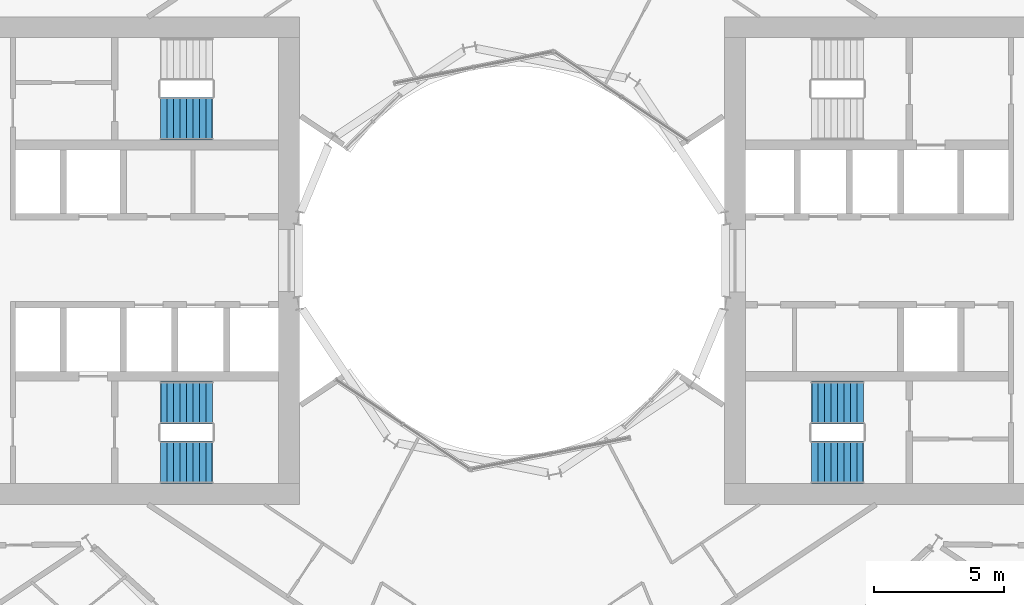
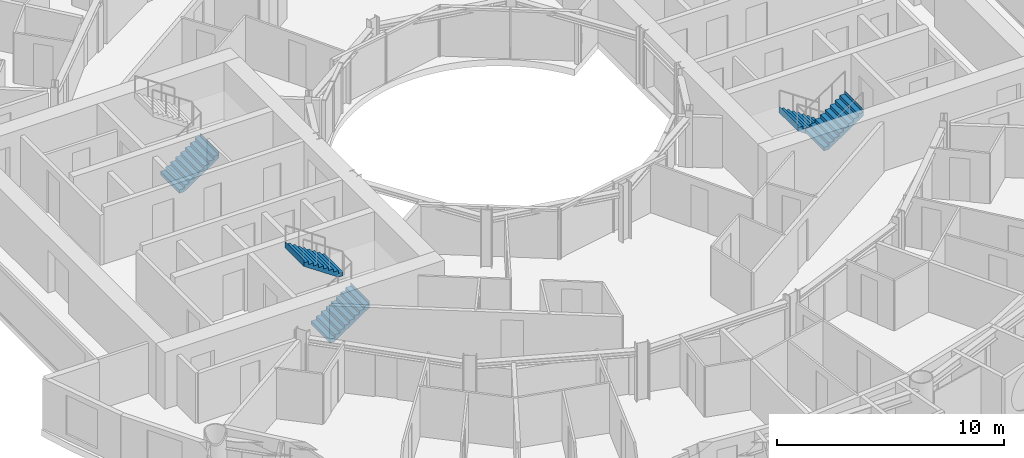
# One storey, part 23 of 26: 5 stair flights, 3 elements without a shape of their own.
"""IFC4 building model written with IfcOpenShell, lengths in metres."""

from ifc_helpers import new_model, si_unit, direction, frame, origin, place, context, subcontext, project, spatial, triangles, material, type_object, element, aggregate, save


model = new_model("IFC4")

# Units and contexts
model_context = context("Model", 3, precision=1e-05, world=origin(), true_north=direction((0.0, 1.0)))
body_context = subcontext(model_context, "Body", "Model", "MODEL_VIEW")
ifc_project = project(units=[si_unit("LENGTHUNIT", "METRE"), si_unit("AREAUNIT", "SQUARE_METRE"), si_unit("VOLUMEUNIT", "CUBIC_METRE"), si_unit("PLANEANGLEUNIT", "RADIAN"), si_unit("MASSUNIT", "GRAM", prefix="KILO")], contexts=[model_context])

# Site, building, storey
site_placement = place(None, origin())
site = spatial("IfcSite", under=ifc_project, at=site_placement, CompositionType="ELEMENT")
building_placement = place(site_placement, origin())
building = spatial("IfcBuilding", under=site, at=building_placement, Name="Maasbend Ring Residences", CompositionType="ELEMENT")
storey_placement = place(building_placement, frame((0.0, 0.0, 31.949951171875)))
storey = spatial("IfcBuildingStorey", under=building, at=storey_placement, Name="L08", CompositionType="ELEMENT", Elevation=31.949951171875)

# Stair, stair flights
ifc_material_1 = material(Name="Concrete C40/50", Category="concrete")
stair_type = type_object("IfcStairType", Name="CORE STAIR 18 RISERS", PredefinedType="HALF_TURN_STAIR", material=ifc_material_1)
stair_1_placement = place(storey_placement, origin())
stair_1 = element("IfcStair", 1, at=stair_1_placement, inside=storey, type_object=stair_type, Name="L08 Exit stair ST-E2", PredefinedType="HALF_TURN_STAIR")
ifc_material_2 = material(Name="Concrete C40/50", Category="concrete")
stair_flight_type = type_object("IfcStairFlightType", Name="CORE STAIR FLIGHT 1650", PredefinedType="STRAIGHT", material=ifc_material_2)
stair_flight_1_placement = place(storey_placement, frame((13.550048828125, -5.47509765625, 0.0), z_axis=(0.0, 0.0, 1.0), x_axis=(-1.0, 0.0, 0.0)))
stair_flight_1 = element("IfcStairFlight", 2, at=stair_flight_1_placement, type_object=stair_flight_type, Name="ST-E2 flight 1", NumberOfRisers=9, NumberOfTreads=8, PredefinedType="STRAIGHT", RiserHeight=0.169444444, TreadLength=0.25, context=body_context, shape_type="Tessellation", body=[
    triangles([(0.24072265625, 0.824951171875, -0.02001953125), (2.0029296875, 0.824951171875, 1.174560546875), (2.0029296875, 0.824951171875, 1.52490234375), (1.989990234375, 0.824951171875, 1.35546875), (1.75, 0.824951171875, 1.35546875), (1.75, 0.824951171875, 1.18603515625), (1.5, 0.824951171875, 1.18603515625), (1.5, 0.824951171875, 1.0166015625), (1.25, 0.824951171875, 1.0166015625), (1.25, 0.824951171875, 0.84716796875), (1.0, 0.824951171875, 0.84716796875), (1.0, 0.824951171875, 0.677734375), (0.75, 0.824951171875, 0.677734375), (0.75, 0.824951171875, 0.50830078125), (0.5, 0.824951171875, 0.50830078125), (0.5, 0.824951171875, 0.3388671875), (0.25, 0.824951171875, 0.3388671875), (0.25, 0.824951171875, 0.16943359375), (0.0, 0.824951171875, 0.16943359375), (0.0, 0.824951171875, 0.0), (-0.0029296875, 0.824951171875, 0.0), (-0.0029296875, 0.824951171875, -0.02001953125), (0.24072265625, 0.27490234375, -0.02001953125), (2.0029296875, 0.27490234375, 1.174560546875), (2.0029296875, 0.27490234375, 1.52490234375), (1.989990234375, 0.27490234375, 1.35546875), (1.75, 0.27490234375, 1.35546875), (1.75, 0.27490234375, 1.18603515625), (1.5, 0.27490234375, 1.18603515625), (1.5, 0.27490234375, 1.0166015625), (1.25, 0.27490234375, 1.0166015625), (1.25, 0.27490234375, 0.84716796875), (1.0, 0.27490234375, 0.84716796875), (1.0, 0.27490234375, 0.677734375), (0.75, 0.27490234375, 0.677734375), (0.75, 0.27490234375, 0.50830078125), (0.5, 0.27490234375, 0.50830078125), (0.5, 0.27490234375, 0.3388671875), (0.25, 0.27490234375, 0.3388671875), (0.25, 0.27490234375, 0.16943359375), (0.0, 0.27490234375, 0.16943359375), (0.0, 0.27490234375, 0.0), (-0.0029296875, 0.27490234375, 0.0), (-0.0029296875, 0.27490234375, -0.02001953125), (0.24072265625, -0.27490234375, -0.02001953125), (2.0029296875, -0.27490234375, 1.174560546875), (2.0029296875, -0.27490234375, 1.52490234375), (1.989990234375, -0.27490234375, 1.35546875), (1.75, -0.27490234375, 1.35546875), (1.75, -0.27490234375, 1.18603515625), (1.5, -0.27490234375, 1.18603515625), (1.5, -0.27490234375, 1.0166015625), (1.25, -0.27490234375, 1.0166015625), (1.25, -0.27490234375, 0.84716796875), (1.0, -0.27490234375, 0.84716796875), (1.0, -0.27490234375, 0.677734375), (0.75, -0.27490234375, 0.677734375), (0.75, -0.27490234375, 0.50830078125), (0.5, -0.27490234375, 0.50830078125), (0.5, -0.27490234375, 0.3388671875), (0.25, -0.27490234375, 0.3388671875), (0.25, -0.27490234375, 0.16943359375), (0.0, -0.27490234375, 0.16943359375), (0.0, -0.27490234375, 0.0), (-0.0029296875, -0.27490234375, 0.0), (-0.0029296875, -0.27490234375, -0.02001953125), (0.24072265625, -0.824951171875, -0.02001953125), (2.0029296875, -0.824951171875, 1.174560546875), (2.0029296875, -0.824951171875, 1.52490234375), (1.989990234375, -0.824951171875, 1.35546875), (1.75, -0.824951171875, 1.35546875), (1.75, -0.824951171875, 1.18603515625), (1.5, -0.824951171875, 1.18603515625), (1.5, -0.824951171875, 1.0166015625), (1.25, -0.824951171875, 1.0166015625), (1.25, -0.824951171875, 0.84716796875), (1.0, -0.824951171875, 0.84716796875), (1.0, -0.824951171875, 0.677734375), (0.75, -0.824951171875, 0.677734375), (0.75, -0.824951171875, 0.50830078125), (0.5, -0.824951171875, 0.50830078125), (0.5, -0.824951171875, 0.3388671875), (0.25, -0.824951171875, 0.3388671875), (0.25, -0.824951171875, 0.16943359375), (0.0, -0.824951171875, 0.16943359375), (0.0, -0.824951171875, 0.0), (-0.0029296875, -0.824951171875, 0.0), (-0.0029296875, -0.824951171875, -0.02001953125)], [[1, 2, 24], [1, 24, 23], [23, 24, 46], [23, 46, 45], [45, 46, 68], [45, 68, 67], [2, 3, 25], [2, 25, 24], [24, 25, 47], [24, 47, 46], [46, 47, 69], [46, 69, 68], [3, 4, 26], [3, 26, 25], [25, 26, 48], [25, 48, 47], [47, 48, 70], [47, 70, 69], [4, 5, 27], [4, 27, 26], [26, 27, 49], [26, 49, 48], [48, 49, 71], [48, 71, 70], [5, 6, 28], [5, 28, 27], [27, 28, 50], [27, 50, 49], [49, 50, 72], [49, 72, 71], [6, 7, 29], [6, 29, 28], [28, 29, 51], [28, 51, 50], [50, 51, 73], [50, 73, 72], [7, 8, 30], [7, 30, 29], [29, 30, 52], [29, 52, 51], [51, 52, 74], [51, 74, 73], [8, 9, 31], [8, 31, 30], [30, 31, 53], [30, 53, 52], [52, 53, 75], [52, 75, 74], [9, 10, 32], [9, 32, 31], [31, 32, 54], [31, 54, 53], [53, 54, 76], [53, 76, 75], [10, 11, 33], [10, 33, 32], [32, 33, 55], [32, 55, 54], [54, 55, 77], [54, 77, 76], [11, 12, 34], [11, 34, 33], [33, 34, 56], [33, 56, 55], [55, 56, 78], [55, 78, 77], [12, 13, 35], [12, 35, 34], [34, 35, 57], [34, 57, 56], [56, 57, 79], [56, 79, 78], [13, 14, 36], [13, 36, 35], [35, 36, 58], [35, 58, 57], [57, 58, 80], [57, 80, 79], [14, 15, 37], [14, 37, 36], [36, 37, 59], [36, 59, 58], [58, 59, 81], [58, 81, 80], [15, 16, 38], [15, 38, 37], [37, 38, 60], [37, 60, 59], [59, 60, 82], [59, 82, 81], [16, 17, 39], [16, 39, 38], [38, 39, 61], [38, 61, 60], [60, 61, 83], [60, 83, 82], [17, 18, 40], [17, 40, 39], [39, 40, 62], [39, 62, 61], [61, 62, 84], [61, 84, 83], [18, 19, 41], [18, 41, 40], [40, 41, 63], [40, 63, 62], [62, 63, 85], [62, 85, 84], [19, 20, 42], [19, 42, 41], [41, 42, 64], [41, 64, 63], [63, 64, 86], [63, 86, 85], [20, 21, 43], [20, 43, 42], [42, 43, 65], [42, 65, 64], [64, 65, 87], [64, 87, 86], [21, 22, 44], [21, 44, 43], [43, 44, 66], [43, 66, 65], [65, 66, 88], [65, 88, 87], [22, 1, 23], [22, 23, 44], [44, 23, 45], [44, 45, 66], [66, 45, 67], [66, 67, 88], [22, 2, 1], [2, 4, 3], [2, 5, 4], [2, 6, 5], [22, 6, 2], [6, 8, 7], [22, 8, 6], [8, 10, 9], [22, 10, 8], [10, 12, 11], [22, 12, 10], [12, 14, 13], [22, 14, 12], [14, 16, 15], [22, 16, 14], [16, 18, 17], [22, 18, 16], [18, 20, 19], [22, 20, 18], [20, 22, 21], [88, 67, 68], [68, 69, 70], [68, 70, 71], [68, 71, 72], [88, 68, 72], [72, 73, 74], [88, 72, 74], [74, 75, 76], [88, 74, 76], [76, 77, 78], [88, 76, 78], [78, 79, 80], [88, 78, 80], [80, 81, 82], [88, 80, 82], [82, 83, 84], [88, 82, 84], [84, 85, 86], [88, 84, 86], [86, 87, 88]], closed=True),
])
stair_flight_2_placement = place(storey_placement, frame((11.550048828125, -7.77490234375, 1.525146484375), z_axis=(0.0, 0.0, 1.0), x_axis=(1.0, 0.0, 0.0)))
stair_flight_2 = element("IfcStairFlight", 3, at=stair_flight_2_placement, type_object=stair_flight_type, Name="ST-E2 flight 2", NumberOfRisers=9, NumberOfTreads=8, PredefinedType="STRAIGHT", RiserHeight=0.169444444, TreadLength=0.25, context=body_context, shape_type="Tessellation", body=[
    triangles([(0.24072265625, 0.824951171875, -0.02001953125), (2.0029296875, 0.824951171875, 1.174560546875), (2.0029296875, 0.824951171875, 1.52490234375), (1.989990234375, 0.824951171875, 1.35546875), (1.75, 0.824951171875, 1.35546875), (1.75, 0.824951171875, 1.18603515625), (1.5, 0.824951171875, 1.18603515625), (1.5, 0.824951171875, 1.0166015625), (1.25, 0.824951171875, 1.0166015625), (1.25, 0.824951171875, 0.84716796875), (1.0, 0.824951171875, 0.84716796875), (1.0, 0.824951171875, 0.677734375), (0.75, 0.824951171875, 0.677734375), (0.75, 0.824951171875, 0.50830078125), (0.5, 0.824951171875, 0.50830078125), (0.5, 0.824951171875, 0.3388671875), (0.25, 0.824951171875, 0.3388671875), (0.25, 0.824951171875, 0.16943359375), (0.0, 0.824951171875, 0.16943359375), (0.0, 0.824951171875, 0.0), (-0.0029296875, 0.824951171875, 0.0), (-0.0029296875, 0.824951171875, -0.02001953125), (0.24072265625, 0.27490234375, -0.02001953125), (2.0029296875, 0.27490234375, 1.174560546875), (2.0029296875, 0.27490234375, 1.52490234375), (1.989990234375, 0.27490234375, 1.35546875), (1.75, 0.27490234375, 1.35546875), (1.75, 0.27490234375, 1.18603515625), (1.5, 0.27490234375, 1.18603515625), (1.5, 0.27490234375, 1.0166015625), (1.25, 0.27490234375, 1.0166015625), (1.25, 0.27490234375, 0.84716796875), (1.0, 0.27490234375, 0.84716796875), (1.0, 0.27490234375, 0.677734375), (0.75, 0.27490234375, 0.677734375), (0.75, 0.27490234375, 0.50830078125), (0.5, 0.27490234375, 0.50830078125), (0.5, 0.27490234375, 0.3388671875), (0.25, 0.27490234375, 0.3388671875), (0.25, 0.27490234375, 0.16943359375), (0.0, 0.27490234375, 0.16943359375), (0.0, 0.27490234375, 0.0), (-0.0029296875, 0.27490234375, 0.0), (-0.0029296875, 0.27490234375, -0.02001953125), (0.24072265625, -0.27490234375, -0.02001953125), (2.0029296875, -0.27490234375, 1.174560546875), (2.0029296875, -0.27490234375, 1.52490234375), (1.989990234375, -0.27490234375, 1.35546875), (1.75, -0.27490234375, 1.35546875), (1.75, -0.27490234375, 1.18603515625), (1.5, -0.27490234375, 1.18603515625), (1.5, -0.27490234375, 1.0166015625), (1.25, -0.27490234375, 1.0166015625), (1.25, -0.27490234375, 0.84716796875), (1.0, -0.27490234375, 0.84716796875), (1.0, -0.27490234375, 0.677734375), (0.75, -0.27490234375, 0.677734375), (0.75, -0.27490234375, 0.50830078125), (0.5, -0.27490234375, 0.50830078125), (0.5, -0.27490234375, 0.3388671875), (0.25, -0.27490234375, 0.3388671875), (0.25, -0.27490234375, 0.16943359375), (0.0, -0.27490234375, 0.16943359375), (0.0, -0.27490234375, 0.0), (-0.0029296875, -0.27490234375, 0.0), (-0.0029296875, -0.27490234375, -0.02001953125), (0.24072265625, -0.824951171875, -0.02001953125), (2.0029296875, -0.824951171875, 1.174560546875), (2.0029296875, -0.824951171875, 1.52490234375), (1.989990234375, -0.824951171875, 1.35546875), (1.75, -0.824951171875, 1.35546875), (1.75, -0.824951171875, 1.18603515625), (1.5, -0.824951171875, 1.18603515625), (1.5, -0.824951171875, 1.0166015625), (1.25, -0.824951171875, 1.0166015625), (1.25, -0.824951171875, 0.84716796875), (1.0, -0.824951171875, 0.84716796875), (1.0, -0.824951171875, 0.677734375), (0.75, -0.824951171875, 0.677734375), (0.75, -0.824951171875, 0.50830078125), (0.5, -0.824951171875, 0.50830078125), (0.5, -0.824951171875, 0.3388671875), (0.25, -0.824951171875, 0.3388671875), (0.25, -0.824951171875, 0.16943359375), (0.0, -0.824951171875, 0.16943359375), (0.0, -0.824951171875, 0.0), (-0.0029296875, -0.824951171875, 0.0), (-0.0029296875, -0.824951171875, -0.02001953125)], [[1, 2, 24], [1, 24, 23], [23, 24, 46], [23, 46, 45], [45, 46, 68], [45, 68, 67], [2, 3, 25], [2, 25, 24], [24, 25, 47], [24, 47, 46], [46, 47, 69], [46, 69, 68], [3, 4, 26], [3, 26, 25], [25, 26, 48], [25, 48, 47], [47, 48, 70], [47, 70, 69], [4, 5, 27], [4, 27, 26], [26, 27, 49], [26, 49, 48], [48, 49, 71], [48, 71, 70], [5, 6, 28], [5, 28, 27], [27, 28, 50], [27, 50, 49], [49, 50, 72], [49, 72, 71], [6, 7, 29], [6, 29, 28], [28, 29, 51], [28, 51, 50], [50, 51, 73], [50, 73, 72], [7, 8, 30], [7, 30, 29], [29, 30, 52], [29, 52, 51], [51, 52, 74], [51, 74, 73], [8, 9, 31], [8, 31, 30], [30, 31, 53], [30, 53, 52], [52, 53, 75], [52, 75, 74], [9, 10, 32], [9, 32, 31], [31, 32, 54], [31, 54, 53], [53, 54, 76], [53, 76, 75], [10, 11, 33], [10, 33, 32], [32, 33, 55], [32, 55, 54], [54, 55, 77], [54, 77, 76], [11, 12, 34], [11, 34, 33], [33, 34, 56], [33, 56, 55], [55, 56, 78], [55, 78, 77], [12, 13, 35], [12, 35, 34], [34, 35, 57], [34, 57, 56], [56, 57, 79], [56, 79, 78], [13, 14, 36], [13, 36, 35], [35, 36, 58], [35, 58, 57], [57, 58, 80], [57, 80, 79], [14, 15, 37], [14, 37, 36], [36, 37, 59], [36, 59, 58], [58, 59, 81], [58, 81, 80], [15, 16, 38], [15, 38, 37], [37, 38, 60], [37, 60, 59], [59, 60, 82], [59, 82, 81], [16, 17, 39], [16, 39, 38], [38, 39, 61], [38, 61, 60], [60, 61, 83], [60, 83, 82], [17, 18, 40], [17, 40, 39], [39, 40, 62], [39, 62, 61], [61, 62, 84], [61, 84, 83], [18, 19, 41], [18, 41, 40], [40, 41, 63], [40, 63, 62], [62, 63, 85], [62, 85, 84], [19, 20, 42], [19, 42, 41], [41, 42, 64], [41, 64, 63], [63, 64, 86], [63, 86, 85], [20, 21, 43], [20, 43, 42], [42, 43, 65], [42, 65, 64], [64, 65, 87], [64, 87, 86], [21, 22, 44], [21, 44, 43], [43, 44, 66], [43, 66, 65], [65, 66, 88], [65, 88, 87], [22, 1, 23], [22, 23, 44], [44, 23, 45], [44, 45, 66], [66, 45, 67], [66, 67, 88], [22, 2, 1], [2, 4, 3], [2, 5, 4], [2, 6, 5], [22, 6, 2], [6, 8, 7], [22, 8, 6], [8, 10, 9], [22, 10, 8], [10, 12, 11], [22, 12, 10], [12, 14, 13], [22, 14, 12], [14, 16, 15], [22, 16, 14], [16, 18, 17], [22, 18, 16], [18, 20, 19], [22, 20, 18], [20, 22, 21], [88, 67, 68], [68, 69, 70], [68, 70, 71], [68, 71, 72], [88, 68, 72], [72, 73, 74], [88, 72, 74], [74, 75, 76], [88, 74, 76], [76, 77, 78], [88, 76, 78], [78, 79, 80], [88, 78, 80], [80, 81, 82], [88, 80, 82], [82, 83, 84], [88, 82, 84], [84, 85, 86], [88, 84, 86], [86, 87, 88]], closed=True),
])
aggregate(stair_1, [stair_flight_1, stair_flight_2])

stair_2_placement = place(storey_placement, origin())
stair_2 = element("IfcStair", 4, at=stair_2_placement, inside=storey, type_object=stair_type, Name="L08 Exit stair ST-W1", PredefinedType="HALF_TURN_STAIR")
stair_flight_3_placement = place(storey_placement, frame((-13.550048828125, -7.77490234375, 0.0), z_axis=(0.0, 0.0, 1.0), x_axis=(1.0, 0.0, 0.0)))
stair_flight_3 = element("IfcStairFlight", 5, at=stair_flight_3_placement, type_object=stair_flight_type, Name="ST-W1 flight 1", NumberOfRisers=9, NumberOfTreads=8, PredefinedType="STRAIGHT", RiserHeight=0.169444444, TreadLength=0.25, context=body_context, shape_type="Tessellation", body=[
    triangles([(0.24072265625, 0.824951171875, -0.02001953125), (2.0029296875, 0.824951171875, 1.174560546875), (2.0029296875, 0.824951171875, 1.52490234375), (1.989990234375, 0.824951171875, 1.35546875), (1.75, 0.824951171875, 1.35546875), (1.75, 0.824951171875, 1.18603515625), (1.5, 0.824951171875, 1.18603515625), (1.5, 0.824951171875, 1.0166015625), (1.25, 0.824951171875, 1.0166015625), (1.25, 0.824951171875, 0.84716796875), (1.0, 0.824951171875, 0.84716796875), (1.0, 0.824951171875, 0.677734375), (0.75, 0.824951171875, 0.677734375), (0.75, 0.824951171875, 0.50830078125), (0.5, 0.824951171875, 0.50830078125), (0.5, 0.824951171875, 0.3388671875), (0.25, 0.824951171875, 0.3388671875), (0.25, 0.824951171875, 0.16943359375), (0.0, 0.824951171875, 0.16943359375), (0.0, 0.824951171875, 0.0), (-0.0029296875, 0.824951171875, 0.0), (-0.0029296875, 0.824951171875, -0.02001953125), (0.24072265625, 0.27490234375, -0.02001953125), (2.0029296875, 0.27490234375, 1.174560546875), (2.0029296875, 0.27490234375, 1.52490234375), (1.989990234375, 0.27490234375, 1.35546875), (1.75, 0.27490234375, 1.35546875), (1.75, 0.27490234375, 1.18603515625), (1.5, 0.27490234375, 1.18603515625), (1.5, 0.27490234375, 1.0166015625), (1.25, 0.27490234375, 1.0166015625), (1.25, 0.27490234375, 0.84716796875), (1.0, 0.27490234375, 0.84716796875), (1.0, 0.27490234375, 0.677734375), (0.75, 0.27490234375, 0.677734375), (0.75, 0.27490234375, 0.50830078125), (0.5, 0.27490234375, 0.50830078125), (0.5, 0.27490234375, 0.3388671875), (0.25, 0.27490234375, 0.3388671875), (0.25, 0.27490234375, 0.16943359375), (0.0, 0.27490234375, 0.16943359375), (0.0, 0.27490234375, 0.0), (-0.0029296875, 0.27490234375, 0.0), (-0.0029296875, 0.27490234375, -0.02001953125), (0.24072265625, -0.27490234375, -0.02001953125), (2.0029296875, -0.27490234375, 1.174560546875), (2.0029296875, -0.27490234375, 1.52490234375), (1.989990234375, -0.27490234375, 1.35546875), (1.75, -0.27490234375, 1.35546875), (1.75, -0.27490234375, 1.18603515625), (1.5, -0.27490234375, 1.18603515625), (1.5, -0.27490234375, 1.0166015625), (1.25, -0.27490234375, 1.0166015625), (1.25, -0.27490234375, 0.84716796875), (1.0, -0.27490234375, 0.84716796875), (1.0, -0.27490234375, 0.677734375), (0.75, -0.27490234375, 0.677734375), (0.75, -0.27490234375, 0.50830078125), (0.5, -0.27490234375, 0.50830078125), (0.5, -0.27490234375, 0.3388671875), (0.25, -0.27490234375, 0.3388671875), (0.25, -0.27490234375, 0.16943359375), (0.0, -0.27490234375, 0.16943359375), (0.0, -0.27490234375, 0.0), (-0.0029296875, -0.27490234375, 0.0), (-0.0029296875, -0.27490234375, -0.02001953125), (0.24072265625, -0.824951171875, -0.02001953125), (2.0029296875, -0.824951171875, 1.174560546875), (2.0029296875, -0.824951171875, 1.52490234375), (1.989990234375, -0.824951171875, 1.35546875), (1.75, -0.824951171875, 1.35546875), (1.75, -0.824951171875, 1.18603515625), (1.5, -0.824951171875, 1.18603515625), (1.5, -0.824951171875, 1.0166015625), (1.25, -0.824951171875, 1.0166015625), (1.25, -0.824951171875, 0.84716796875), (1.0, -0.824951171875, 0.84716796875), (1.0, -0.824951171875, 0.677734375), (0.75, -0.824951171875, 0.677734375), (0.75, -0.824951171875, 0.50830078125), (0.5, -0.824951171875, 0.50830078125), (0.5, -0.824951171875, 0.3388671875), (0.25, -0.824951171875, 0.3388671875), (0.25, -0.824951171875, 0.16943359375), (0.0, -0.824951171875, 0.16943359375), (0.0, -0.824951171875, 0.0), (-0.0029296875, -0.824951171875, 0.0), (-0.0029296875, -0.824951171875, -0.02001953125)], [[1, 2, 24], [1, 24, 23], [23, 24, 46], [23, 46, 45], [45, 46, 68], [45, 68, 67], [2, 3, 25], [2, 25, 24], [24, 25, 47], [24, 47, 46], [46, 47, 69], [46, 69, 68], [3, 4, 26], [3, 26, 25], [25, 26, 48], [25, 48, 47], [47, 48, 70], [47, 70, 69], [4, 5, 27], [4, 27, 26], [26, 27, 49], [26, 49, 48], [48, 49, 71], [48, 71, 70], [5, 6, 28], [5, 28, 27], [27, 28, 50], [27, 50, 49], [49, 50, 72], [49, 72, 71], [6, 7, 29], [6, 29, 28], [28, 29, 51], [28, 51, 50], [50, 51, 73], [50, 73, 72], [7, 8, 30], [7, 30, 29], [29, 30, 52], [29, 52, 51], [51, 52, 74], [51, 74, 73], [8, 9, 31], [8, 31, 30], [30, 31, 53], [30, 53, 52], [52, 53, 75], [52, 75, 74], [9, 10, 32], [9, 32, 31], [31, 32, 54], [31, 54, 53], [53, 54, 76], [53, 76, 75], [10, 11, 33], [10, 33, 32], [32, 33, 55], [32, 55, 54], [54, 55, 77], [54, 77, 76], [11, 12, 34], [11, 34, 33], [33, 34, 56], [33, 56, 55], [55, 56, 78], [55, 78, 77], [12, 13, 35], [12, 35, 34], [34, 35, 57], [34, 57, 56], [56, 57, 79], [56, 79, 78], [13, 14, 36], [13, 36, 35], [35, 36, 58], [35, 58, 57], [57, 58, 80], [57, 80, 79], [14, 15, 37], [14, 37, 36], [36, 37, 59], [36, 59, 58], [58, 59, 81], [58, 81, 80], [15, 16, 38], [15, 38, 37], [37, 38, 60], [37, 60, 59], [59, 60, 82], [59, 82, 81], [16, 17, 39], [16, 39, 38], [38, 39, 61], [38, 61, 60], [60, 61, 83], [60, 83, 82], [17, 18, 40], [17, 40, 39], [39, 40, 62], [39, 62, 61], [61, 62, 84], [61, 84, 83], [18, 19, 41], [18, 41, 40], [40, 41, 63], [40, 63, 62], [62, 63, 85], [62, 85, 84], [19, 20, 42], [19, 42, 41], [41, 42, 64], [41, 64, 63], [63, 64, 86], [63, 86, 85], [20, 21, 43], [20, 43, 42], [42, 43, 65], [42, 65, 64], [64, 65, 87], [64, 87, 86], [21, 22, 44], [21, 44, 43], [43, 44, 66], [43, 66, 65], [65, 66, 88], [65, 88, 87], [22, 1, 23], [22, 23, 44], [44, 23, 45], [44, 45, 66], [66, 45, 67], [66, 67, 88], [22, 2, 1], [2, 4, 3], [2, 5, 4], [2, 6, 5], [22, 6, 2], [6, 8, 7], [22, 8, 6], [8, 10, 9], [22, 10, 8], [10, 12, 11], [22, 12, 10], [12, 14, 13], [22, 14, 12], [14, 16, 15], [22, 16, 14], [16, 18, 17], [22, 18, 16], [18, 20, 19], [22, 20, 18], [20, 22, 21], [88, 67, 68], [68, 69, 70], [68, 70, 71], [68, 71, 72], [88, 68, 72], [72, 73, 74], [88, 72, 74], [74, 75, 76], [88, 74, 76], [76, 77, 78], [88, 76, 78], [78, 79, 80], [88, 78, 80], [80, 81, 82], [88, 80, 82], [82, 83, 84], [88, 82, 84], [84, 85, 86], [88, 84, 86], [86, 87, 88]], closed=True),
])
stair_flight_4_placement = place(storey_placement, frame((-11.550048828125, -5.47509765625, 1.525146484375), z_axis=(0.0, 0.0, 1.0), x_axis=(-1.0, 0.0, 0.0)))
stair_flight_4 = element("IfcStairFlight", 6, at=stair_flight_4_placement, type_object=stair_flight_type, Name="ST-W1 flight 2", NumberOfRisers=9, NumberOfTreads=8, PredefinedType="STRAIGHT", RiserHeight=0.169444444, TreadLength=0.25, context=body_context, shape_type="Tessellation", body=[
    triangles([(0.24072265625, 0.824951171875, -0.02001953125), (2.0029296875, 0.824951171875, 1.174560546875), (2.0029296875, 0.824951171875, 1.52490234375), (1.989990234375, 0.824951171875, 1.35546875), (1.75, 0.824951171875, 1.35546875), (1.75, 0.824951171875, 1.18603515625), (1.5, 0.824951171875, 1.18603515625), (1.5, 0.824951171875, 1.0166015625), (1.25, 0.824951171875, 1.0166015625), (1.25, 0.824951171875, 0.84716796875), (1.0, 0.824951171875, 0.84716796875), (1.0, 0.824951171875, 0.677734375), (0.75, 0.824951171875, 0.677734375), (0.75, 0.824951171875, 0.50830078125), (0.5, 0.824951171875, 0.50830078125), (0.5, 0.824951171875, 0.3388671875), (0.25, 0.824951171875, 0.3388671875), (0.25, 0.824951171875, 0.16943359375), (0.0, 0.824951171875, 0.16943359375), (0.0, 0.824951171875, 0.0), (-0.0029296875, 0.824951171875, 0.0), (-0.0029296875, 0.824951171875, -0.02001953125), (0.24072265625, 0.27490234375, -0.02001953125), (2.0029296875, 0.27490234375, 1.174560546875), (2.0029296875, 0.27490234375, 1.52490234375), (1.989990234375, 0.27490234375, 1.35546875), (1.75, 0.27490234375, 1.35546875), (1.75, 0.27490234375, 1.18603515625), (1.5, 0.27490234375, 1.18603515625), (1.5, 0.27490234375, 1.0166015625), (1.25, 0.27490234375, 1.0166015625), (1.25, 0.27490234375, 0.84716796875), (1.0, 0.27490234375, 0.84716796875), (1.0, 0.27490234375, 0.677734375), (0.75, 0.27490234375, 0.677734375), (0.75, 0.27490234375, 0.50830078125), (0.5, 0.27490234375, 0.50830078125), (0.5, 0.27490234375, 0.3388671875), (0.25, 0.27490234375, 0.3388671875), (0.25, 0.27490234375, 0.16943359375), (0.0, 0.27490234375, 0.16943359375), (0.0, 0.27490234375, 0.0), (-0.0029296875, 0.27490234375, 0.0), (-0.0029296875, 0.27490234375, -0.02001953125), (0.24072265625, -0.27490234375, -0.02001953125), (2.0029296875, -0.27490234375, 1.174560546875), (2.0029296875, -0.27490234375, 1.52490234375), (1.989990234375, -0.27490234375, 1.35546875), (1.75, -0.27490234375, 1.35546875), (1.75, -0.27490234375, 1.18603515625), (1.5, -0.27490234375, 1.18603515625), (1.5, -0.27490234375, 1.0166015625), (1.25, -0.27490234375, 1.0166015625), (1.25, -0.27490234375, 0.84716796875), (1.0, -0.27490234375, 0.84716796875), (1.0, -0.27490234375, 0.677734375), (0.75, -0.27490234375, 0.677734375), (0.75, -0.27490234375, 0.50830078125), (0.5, -0.27490234375, 0.50830078125), (0.5, -0.27490234375, 0.3388671875), (0.25, -0.27490234375, 0.3388671875), (0.25, -0.27490234375, 0.16943359375), (0.0, -0.27490234375, 0.16943359375), (0.0, -0.27490234375, 0.0), (-0.0029296875, -0.27490234375, 0.0), (-0.0029296875, -0.27490234375, -0.02001953125), (0.24072265625, -0.824951171875, -0.02001953125), (2.0029296875, -0.824951171875, 1.174560546875), (2.0029296875, -0.824951171875, 1.52490234375), (1.989990234375, -0.824951171875, 1.35546875), (1.75, -0.824951171875, 1.35546875), (1.75, -0.824951171875, 1.18603515625), (1.5, -0.824951171875, 1.18603515625), (1.5, -0.824951171875, 1.0166015625), (1.25, -0.824951171875, 1.0166015625), (1.25, -0.824951171875, 0.84716796875), (1.0, -0.824951171875, 0.84716796875), (1.0, -0.824951171875, 0.677734375), (0.75, -0.824951171875, 0.677734375), (0.75, -0.824951171875, 0.50830078125), (0.5, -0.824951171875, 0.50830078125), (0.5, -0.824951171875, 0.3388671875), (0.25, -0.824951171875, 0.3388671875), (0.25, -0.824951171875, 0.16943359375), (0.0, -0.824951171875, 0.16943359375), (0.0, -0.824951171875, 0.0), (-0.0029296875, -0.824951171875, 0.0), (-0.0029296875, -0.824951171875, -0.02001953125)], [[1, 2, 24], [1, 24, 23], [23, 24, 46], [23, 46, 45], [45, 46, 68], [45, 68, 67], [2, 3, 25], [2, 25, 24], [24, 25, 47], [24, 47, 46], [46, 47, 69], [46, 69, 68], [3, 4, 26], [3, 26, 25], [25, 26, 48], [25, 48, 47], [47, 48, 70], [47, 70, 69], [4, 5, 27], [4, 27, 26], [26, 27, 49], [26, 49, 48], [48, 49, 71], [48, 71, 70], [5, 6, 28], [5, 28, 27], [27, 28, 50], [27, 50, 49], [49, 50, 72], [49, 72, 71], [6, 7, 29], [6, 29, 28], [28, 29, 51], [28, 51, 50], [50, 51, 73], [50, 73, 72], [7, 8, 30], [7, 30, 29], [29, 30, 52], [29, 52, 51], [51, 52, 74], [51, 74, 73], [8, 9, 31], [8, 31, 30], [30, 31, 53], [30, 53, 52], [52, 53, 75], [52, 75, 74], [9, 10, 32], [9, 32, 31], [31, 32, 54], [31, 54, 53], [53, 54, 76], [53, 76, 75], [10, 11, 33], [10, 33, 32], [32, 33, 55], [32, 55, 54], [54, 55, 77], [54, 77, 76], [11, 12, 34], [11, 34, 33], [33, 34, 56], [33, 56, 55], [55, 56, 78], [55, 78, 77], [12, 13, 35], [12, 35, 34], [34, 35, 57], [34, 57, 56], [56, 57, 79], [56, 79, 78], [13, 14, 36], [13, 36, 35], [35, 36, 58], [35, 58, 57], [57, 58, 80], [57, 80, 79], [14, 15, 37], [14, 37, 36], [36, 37, 59], [36, 59, 58], [58, 59, 81], [58, 81, 80], [15, 16, 38], [15, 38, 37], [37, 38, 60], [37, 60, 59], [59, 60, 82], [59, 82, 81], [16, 17, 39], [16, 39, 38], [38, 39, 61], [38, 61, 60], [60, 61, 83], [60, 83, 82], [17, 18, 40], [17, 40, 39], [39, 40, 62], [39, 62, 61], [61, 62, 84], [61, 84, 83], [18, 19, 41], [18, 41, 40], [40, 41, 63], [40, 63, 62], [62, 63, 85], [62, 85, 84], [19, 20, 42], [19, 42, 41], [41, 42, 64], [41, 64, 63], [63, 64, 86], [63, 86, 85], [20, 21, 43], [20, 43, 42], [42, 43, 65], [42, 65, 64], [64, 65, 87], [64, 87, 86], [21, 22, 44], [21, 44, 43], [43, 44, 66], [43, 66, 65], [65, 66, 88], [65, 88, 87], [22, 1, 23], [22, 23, 44], [44, 23, 45], [44, 45, 66], [66, 45, 67], [66, 67, 88], [22, 2, 1], [2, 4, 3], [2, 5, 4], [2, 6, 5], [22, 6, 2], [6, 8, 7], [22, 8, 6], [8, 10, 9], [22, 10, 8], [10, 12, 11], [22, 12, 10], [12, 14, 13], [22, 14, 12], [14, 16, 15], [22, 16, 14], [16, 18, 17], [22, 18, 16], [18, 20, 19], [22, 20, 18], [20, 22, 21], [88, 67, 68], [68, 69, 70], [68, 70, 71], [68, 71, 72], [88, 68, 72], [72, 73, 74], [88, 72, 74], [74, 75, 76], [88, 74, 76], [76, 77, 78], [88, 76, 78], [78, 79, 80], [88, 78, 80], [80, 81, 82], [88, 80, 82], [82, 83, 84], [88, 82, 84], [84, 85, 86], [88, 84, 86], [86, 87, 88]], closed=True),
])
aggregate(stair_2, [stair_flight_3, stair_flight_4])

# Stair, stair flight
stair_3_placement = place(storey_placement, origin())
stair_3 = element("IfcStair", 7, at=stair_3_placement, inside=storey, type_object=stair_type, Name="L08 Exit stair ST-W2", PredefinedType="HALF_TURN_STAIR")
stair_flight_5_placement = place(storey_placement, frame((-13.550048828125, 5.47509765625, 0.0), z_axis=(0.0, 0.0, 1.0), x_axis=(1.0, 0.0, 0.0)))
stair_flight_5 = element("IfcStairFlight", 8, at=stair_flight_5_placement, type_object=stair_flight_type, Name="ST-W2 flight 1", NumberOfRisers=9, NumberOfTreads=8, PredefinedType="STRAIGHT", RiserHeight=0.169444444, TreadLength=0.25, context=body_context, shape_type="Tessellation", body=[
    triangles([(0.24072265625, 0.824951171875, -0.02001953125), (2.0029296875, 0.824951171875, 1.174560546875), (2.0029296875, 0.824951171875, 1.52490234375), (1.989990234375, 0.824951171875, 1.35546875), (1.75, 0.824951171875, 1.35546875), (1.75, 0.824951171875, 1.18603515625), (1.5, 0.824951171875, 1.18603515625), (1.5, 0.824951171875, 1.0166015625), (1.25, 0.824951171875, 1.0166015625), (1.25, 0.824951171875, 0.84716796875), (1.0, 0.824951171875, 0.84716796875), (1.0, 0.824951171875, 0.677734375), (0.75, 0.824951171875, 0.677734375), (0.75, 0.824951171875, 0.50830078125), (0.5, 0.824951171875, 0.50830078125), (0.5, 0.824951171875, 0.3388671875), (0.25, 0.824951171875, 0.3388671875), (0.25, 0.824951171875, 0.16943359375), (0.0, 0.824951171875, 0.16943359375), (0.0, 0.824951171875, 0.0), (-0.0029296875, 0.824951171875, 0.0), (-0.0029296875, 0.824951171875, -0.02001953125), (0.24072265625, 0.27490234375, -0.02001953125), (2.0029296875, 0.27490234375, 1.174560546875), (2.0029296875, 0.27490234375, 1.52490234375), (1.989990234375, 0.27490234375, 1.35546875), (1.75, 0.27490234375, 1.35546875), (1.75, 0.27490234375, 1.18603515625), (1.5, 0.27490234375, 1.18603515625), (1.5, 0.27490234375, 1.0166015625), (1.25, 0.27490234375, 1.0166015625), (1.25, 0.27490234375, 0.84716796875), (1.0, 0.27490234375, 0.84716796875), (1.0, 0.27490234375, 0.677734375), (0.75, 0.27490234375, 0.677734375), (0.75, 0.27490234375, 0.50830078125), (0.5, 0.27490234375, 0.50830078125), (0.5, 0.27490234375, 0.3388671875), (0.25, 0.27490234375, 0.3388671875), (0.25, 0.27490234375, 0.16943359375), (0.0, 0.27490234375, 0.16943359375), (0.0, 0.27490234375, 0.0), (-0.0029296875, 0.27490234375, 0.0), (-0.0029296875, 0.27490234375, -0.02001953125), (0.24072265625, -0.27490234375, -0.02001953125), (2.0029296875, -0.27490234375, 1.174560546875), (2.0029296875, -0.27490234375, 1.52490234375), (1.989990234375, -0.27490234375, 1.35546875), (1.75, -0.27490234375, 1.35546875), (1.75, -0.27490234375, 1.18603515625), (1.5, -0.27490234375, 1.18603515625), (1.5, -0.27490234375, 1.0166015625), (1.25, -0.27490234375, 1.0166015625), (1.25, -0.27490234375, 0.84716796875), (1.0, -0.27490234375, 0.84716796875), (1.0, -0.27490234375, 0.677734375), (0.75, -0.27490234375, 0.677734375), (0.75, -0.27490234375, 0.50830078125), (0.5, -0.27490234375, 0.50830078125), (0.5, -0.27490234375, 0.3388671875), (0.25, -0.27490234375, 0.3388671875), (0.25, -0.27490234375, 0.16943359375), (0.0, -0.27490234375, 0.16943359375), (0.0, -0.27490234375, 0.0), (-0.0029296875, -0.27490234375, 0.0), (-0.0029296875, -0.27490234375, -0.02001953125), (0.24072265625, -0.824951171875, -0.02001953125), (2.0029296875, -0.824951171875, 1.174560546875), (2.0029296875, -0.824951171875, 1.52490234375), (1.989990234375, -0.824951171875, 1.35546875), (1.75, -0.824951171875, 1.35546875), (1.75, -0.824951171875, 1.18603515625), (1.5, -0.824951171875, 1.18603515625), (1.5, -0.824951171875, 1.0166015625), (1.25, -0.824951171875, 1.0166015625), (1.25, -0.824951171875, 0.84716796875), (1.0, -0.824951171875, 0.84716796875), (1.0, -0.824951171875, 0.677734375), (0.75, -0.824951171875, 0.677734375), (0.75, -0.824951171875, 0.50830078125), (0.5, -0.824951171875, 0.50830078125), (0.5, -0.824951171875, 0.3388671875), (0.25, -0.824951171875, 0.3388671875), (0.25, -0.824951171875, 0.16943359375), (0.0, -0.824951171875, 0.16943359375), (0.0, -0.824951171875, 0.0), (-0.0029296875, -0.824951171875, 0.0), (-0.0029296875, -0.824951171875, -0.02001953125)], [[1, 2, 24], [1, 24, 23], [23, 24, 46], [23, 46, 45], [45, 46, 68], [45, 68, 67], [2, 3, 25], [2, 25, 24], [24, 25, 47], [24, 47, 46], [46, 47, 69], [46, 69, 68], [3, 4, 26], [3, 26, 25], [25, 26, 48], [25, 48, 47], [47, 48, 70], [47, 70, 69], [4, 5, 27], [4, 27, 26], [26, 27, 49], [26, 49, 48], [48, 49, 71], [48, 71, 70], [5, 6, 28], [5, 28, 27], [27, 28, 50], [27, 50, 49], [49, 50, 72], [49, 72, 71], [6, 7, 29], [6, 29, 28], [28, 29, 51], [28, 51, 50], [50, 51, 73], [50, 73, 72], [7, 8, 30], [7, 30, 29], [29, 30, 52], [29, 52, 51], [51, 52, 74], [51, 74, 73], [8, 9, 31], [8, 31, 30], [30, 31, 53], [30, 53, 52], [52, 53, 75], [52, 75, 74], [9, 10, 32], [9, 32, 31], [31, 32, 54], [31, 54, 53], [53, 54, 76], [53, 76, 75], [10, 11, 33], [10, 33, 32], [32, 33, 55], [32, 55, 54], [54, 55, 77], [54, 77, 76], [11, 12, 34], [11, 34, 33], [33, 34, 56], [33, 56, 55], [55, 56, 78], [55, 78, 77], [12, 13, 35], [12, 35, 34], [34, 35, 57], [34, 57, 56], [56, 57, 79], [56, 79, 78], [13, 14, 36], [13, 36, 35], [35, 36, 58], [35, 58, 57], [57, 58, 80], [57, 80, 79], [14, 15, 37], [14, 37, 36], [36, 37, 59], [36, 59, 58], [58, 59, 81], [58, 81, 80], [15, 16, 38], [15, 38, 37], [37, 38, 60], [37, 60, 59], [59, 60, 82], [59, 82, 81], [16, 17, 39], [16, 39, 38], [38, 39, 61], [38, 61, 60], [60, 61, 83], [60, 83, 82], [17, 18, 40], [17, 40, 39], [39, 40, 62], [39, 62, 61], [61, 62, 84], [61, 84, 83], [18, 19, 41], [18, 41, 40], [40, 41, 63], [40, 63, 62], [62, 63, 85], [62, 85, 84], [19, 20, 42], [19, 42, 41], [41, 42, 64], [41, 64, 63], [63, 64, 86], [63, 86, 85], [20, 21, 43], [20, 43, 42], [42, 43, 65], [42, 65, 64], [64, 65, 87], [64, 87, 86], [21, 22, 44], [21, 44, 43], [43, 44, 66], [43, 66, 65], [65, 66, 88], [65, 88, 87], [22, 1, 23], [22, 23, 44], [44, 23, 45], [44, 45, 66], [66, 45, 67], [66, 67, 88], [22, 2, 1], [2, 4, 3], [2, 5, 4], [2, 6, 5], [22, 6, 2], [6, 8, 7], [22, 8, 6], [8, 10, 9], [22, 10, 8], [10, 12, 11], [22, 12, 10], [12, 14, 13], [22, 14, 12], [14, 16, 15], [22, 16, 14], [16, 18, 17], [22, 18, 16], [18, 20, 19], [22, 20, 18], [20, 22, 21], [88, 67, 68], [68, 69, 70], [68, 70, 71], [68, 71, 72], [88, 68, 72], [72, 73, 74], [88, 72, 74], [74, 75, 76], [88, 74, 76], [76, 77, 78], [88, 76, 78], [78, 79, 80], [88, 78, 80], [80, 81, 82], [88, 80, 82], [82, 83, 84], [88, 82, 84], [84, 85, 86], [88, 84, 86], [86, 87, 88]], closed=True),
])
aggregate(stair_3, [stair_flight_5])

save(model, "model.ifc")
